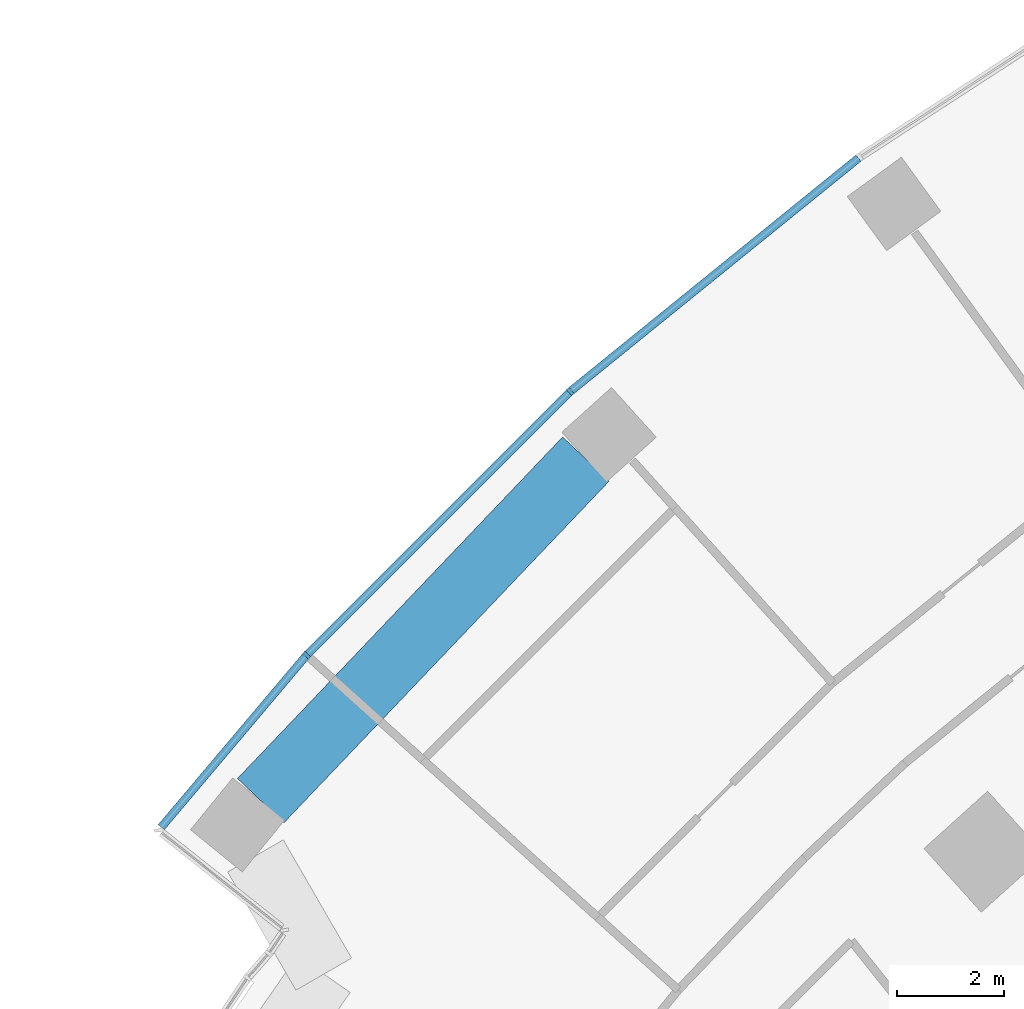
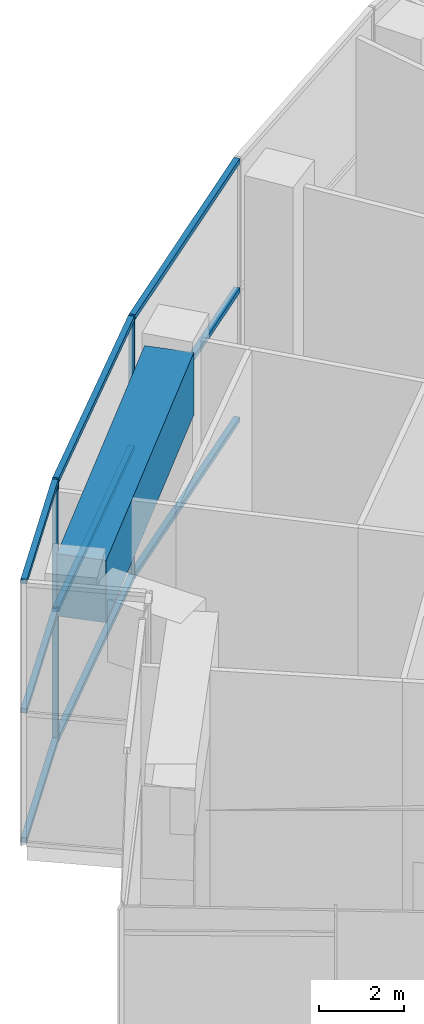
# One storey, part 4 of 33: 11 members, 1 beam, 1 element without a shape of its own.
"""IFC4 building model written with IfcOpenShell, lengths in metres."""

from ifc_helpers import new_model, si_unit, direction, frame, origin, origin_2d, place, context, subcontext, project, spatial, rectangle, extrude, material, layer, layer_set, material_profile, profile_set, type_object, element, aggregate, save


model = new_model("IFC4")

# Units and contexts
model_context = context("Model", 3, precision=1e-05, world=origin(), true_north=direction((0.0, 1.0)))
body_context = subcontext(model_context, "Body", "Model", "MODEL_VIEW")
ifc_project = project(units=[si_unit("LENGTHUNIT", "METRE"), si_unit("AREAUNIT", "SQUARE_METRE"), si_unit("VOLUMEUNIT", "CUBIC_METRE"), si_unit("PLANEANGLEUNIT", "RADIAN"), si_unit("MASSUNIT", "GRAM", prefix="KILO")], contexts=[model_context])

# Site, building, storey
site_placement = place(None, origin())
site = spatial("IfcSite", under=ifc_project, at=site_placement, CompositionType="ELEMENT")
building_placement = place(site_placement, origin())
building = spatial("IfcBuilding", under=site, at=building_placement, Name="Stone Belt Terrace Tower", CompositionType="ELEMENT")
storey_placement = place(building_placement, frame((0.0, 0.0, 79.39990234375)))
storey = spatial("IfcBuildingStorey", under=building, at=storey_placement, Name="L19", CompositionType="ELEMENT", Elevation=79.39990234375)

# Curtain wall, members
ifc_material_1 = material(Name="Aluminium 6063-T6 anodised frame", Category="aluminium")
ifc_layer = layer(ifc_material_1, 0.14990234375)
ifc_layer_set = layer_set([ifc_layer], Name="CW-A unitised convex-face curtain wall")
curtain_wall_type = type_object("IfcCurtainWallType", Name="CW-A unitised convex-face curtain wall", PredefinedType="NOTDEFINED", material=ifc_layer_set)
curtain_wall_placement = place(storey_placement, origin())
curtain_wall = element("IfcCurtainWall", 1, at=curtain_wall_placement, inside=storey, type_object=curtain_wall_type, Name="CW-A convex face L19", PredefinedType="NOTDEFINED")
ifc_material_profile_1 = material_profile(ifc_material_1, rectangle(XDim=0.14990234375, YDim=0.06005859375, at=origin_2d()), Name="Aluminium 6063-T6 60x150")
ifc_profile_set_1 = profile_set([ifc_material_profile_1], Name="Aluminium 6063-T6 anodised frame")
member_type_1 = type_object("IfcMemberType", Name="CW-A mullion 60 x 150", PredefinedType="MULLION", material=ifc_profile_set_1)
member_1_placement = place(storey_placement, frame((-44.54736328125, 49.474853515625, 0.0), z_axis=(0.0, 0.0, 1.0), x_axis=(0.669130606359, -0.743144825477, 0.0)))
member_1 = element("IfcMember", 2, at=member_1_placement, type_object=member_type_1, Name="CW-A mullion 17", PredefinedType="MULLION", context=body_context, shape_type="SweptSolid", body=[
    extrude(rectangle(XDim=0.14990234375, YDim=0.06005859375, at=origin_2d()), origin(), (0.0, 0.0, 1.0), 7.60009765625),
])
member_2_placement = place(storey_placement, frame((-49.474365234375, 44.548095703125, 0.0), z_axis=(0.0, 0.0, 1.0), x_axis=(0.73617076011, -0.676795842155, 0.0)))
member_2 = element("IfcMember", 3, at=member_2_placement, type_object=member_type_1, Name="CW-A mullion 18", PredefinedType="MULLION", context=body_context, shape_type="SweptSolid", body=[
    extrude(rectangle(XDim=0.14990234375, YDim=0.06005859375, at=origin_2d()), origin(), (0.0, 0.0, 1.0), 7.60009765625),
])
ifc_material_profile_2 = material_profile(ifc_material_1, rectangle(XDim=0.14990234375, YDim=0.139892578125, at=origin_2d()), Name="Aluminium 6063-T6 150x140")
ifc_profile_set_2 = profile_set([ifc_material_profile_2], Name="Aluminium 6063-T6 anodised frame")
member_type_2 = type_object("IfcMemberType", Name="CW-A transom 140 x 150", PredefinedType="USERDEFINED", material=ifc_profile_set_2)
member_3_placement = place(storey_placement, frame((-39.158203125, 53.839111328125, 0.070068359375), z_axis=(-0.777141048626, -0.629326457842, 0.0), x_axis=(0.629326457842, -0.777141048626, 0.0)))
member_3 = element("IfcMember", 4, at=member_3_placement, type_object=member_type_2, Name="CW-A transom 16.1", ObjectType="TRANSOM", PredefinedType="USERDEFINED", context=body_context, shape_type="SweptSolid", body=[
    extrude(rectangle(XDim=0.14990234375, YDim=0.139892578125, at=origin_2d()), origin(), (0.0, 0.0, 1.0), 6.900634765625),
])
member_4_placement = place(storey_placement, frame((-39.158203125, 53.839111328125, 3.800048828125), z_axis=(-0.777141048626, -0.629326457842, 0.0), x_axis=(0.629326457842, -0.777141048626, 0.0)))
member_4 = element("IfcMember", 5, at=member_4_placement, type_object=member_type_2, Name="CW-A transom 16.2", ObjectType="TRANSOM", PredefinedType="USERDEFINED", context=body_context, shape_type="SweptSolid", body=[
    extrude(rectangle(XDim=0.14990234375, YDim=0.139892578125, at=origin_2d()), origin(), (0.0, 0.0, 1.0), 6.900634765625),
])
member_5_placement = place(storey_placement, frame((-39.158203125, 53.839111328125, 7.530029296875), z_axis=(-0.777141048626, -0.629326457842, 0.0), x_axis=(0.629326457842, -0.777141048626, 0.0)))
member_5 = element("IfcMember", 6, at=member_5_placement, type_object=member_type_2, Name="CW-A transom 16.3", ObjectType="TRANSOM", PredefinedType="USERDEFINED", context=body_context, shape_type="SweptSolid", body=[
    extrude(rectangle(XDim=0.14990234375, YDim=0.139892578125, at=origin_2d()), origin(), (0.0, 0.0, 1.0), 6.900634765625),
])
member_6_placement = place(storey_placement, frame((-44.5712890625, 49.450927734375, 0.070068359375), z_axis=(-0.707106781187, -0.707106781187, 0.0), x_axis=(0.707106781187, -0.707106781187, 0.0)))
member_6 = element("IfcMember", 7, at=member_6_placement, type_object=member_type_2, Name="CW-A transom 17.1", ObjectType="TRANSOM", PredefinedType="USERDEFINED", context=body_context, shape_type="SweptSolid", body=[
    extrude(rectangle(XDim=0.14990234375, YDim=0.139892578125, at=origin_2d()), origin(), (0.0, 0.0, 1.0), 6.90087890625),
])
member_7_placement = place(storey_placement, frame((-44.5712890625, 49.450927734375, 3.800048828125), z_axis=(-0.707106781187, -0.707106781187, 0.0), x_axis=(0.707106781187, -0.707106781187, 0.0)))
member_7 = element("IfcMember", 8, at=member_7_placement, type_object=member_type_2, Name="CW-A transom 17.2", ObjectType="TRANSOM", PredefinedType="USERDEFINED", context=body_context, shape_type="SweptSolid", body=[
    extrude(rectangle(XDim=0.14990234375, YDim=0.139892578125, at=origin_2d()), origin(), (0.0, 0.0, 1.0), 6.90087890625),
])
member_8_placement = place(storey_placement, frame((-44.5712890625, 49.450927734375, 7.530029296875), z_axis=(-0.707106781187, -0.707106781187, 0.0), x_axis=(0.707106781187, -0.707106781187, 0.0)))
member_8 = element("IfcMember", 9, at=member_8_placement, type_object=member_type_2, Name="CW-A transom 17.3", ObjectType="TRANSOM", PredefinedType="USERDEFINED", context=body_context, shape_type="SweptSolid", body=[
    extrude(rectangle(XDim=0.14990234375, YDim=0.139892578125, at=origin_2d()), origin(), (0.0, 0.0, 1.0), 6.90087890625),
])
member_9_placement = place(storey_placement, frame((-49.495849609375, 44.522705078125, 0.070068359375), z_axis=(-0.645289935316, -0.763937758839, 0.0), x_axis=(0.763937758839, -0.645289935316, 0.0)))
member_9 = element("IfcMember", 10, at=member_9_placement, type_object=member_type_2, Name="CW-A transom 18.1", ObjectType="TRANSOM", PredefinedType="USERDEFINED", context=body_context, shape_type="SweptSolid", body=[
    extrude(rectangle(XDim=0.14990234375, YDim=0.139892578125, at=origin_2d()), origin(), (0.0, 0.0, 1.0), 4.17919921875),
])
member_10_placement = place(storey_placement, frame((-49.495849609375, 44.522705078125, 3.800048828125), z_axis=(-0.645289935316, -0.763937758839, 0.0), x_axis=(0.763937758839, -0.645289935316, 0.0)))
member_10 = element("IfcMember", 11, at=member_10_placement, type_object=member_type_2, Name="CW-A transom 18.2", ObjectType="TRANSOM", PredefinedType="USERDEFINED", context=body_context, shape_type="SweptSolid", body=[
    extrude(rectangle(XDim=0.14990234375, YDim=0.139892578125, at=origin_2d()), origin(), (0.0, 0.0, 1.0), 4.17919921875),
])
member_11_placement = place(storey_placement, frame((-49.495849609375, 44.522705078125, 7.530029296875), z_axis=(-0.645289935316, -0.763937758839, 0.0), x_axis=(0.763937758839, -0.645289935316, 0.0)))
member_11 = element("IfcMember", 12, at=member_11_placement, type_object=member_type_2, Name="CW-A transom 18.3", ObjectType="TRANSOM", PredefinedType="USERDEFINED", context=body_context, shape_type="SweptSolid", body=[
    extrude(rectangle(XDim=0.14990234375, YDim=0.139892578125, at=origin_2d()), origin(), (0.0, 0.0, 1.0), 4.17919921875),
])
aggregate(curtain_wall, [member_1, member_2, member_3, member_4, member_5, member_6, member_7, member_8, member_9, member_10, member_11])

# Beam
ifc_material_2 = material(Name="Concrete B80", Category="concrete")
ifc_material_profile_3 = material_profile(ifc_material_2, rectangle(XDim=1.199951171875, YDim=1.800048828125, at=origin_2d()), Name="RC 1200x1800")
ifc_profile_set_3 = profile_set([ifc_material_profile_3], Name="Concrete B80")
beam_type = type_object("IfcBeamType", Name="Transfer girder RC 1200x1800 B80", PredefinedType="BEAM", material=ifc_profile_set_3)
beam_placement = place(storey_placement, frame((-50.33251953125, 41.8271484375, 6.380126953125), z_axis=(0.689505130806, 0.724280798167, 0.0), x_axis=(-0.724280798167, 0.689505130806, 0.0)))
element("IfcBeam", 13, at=beam_placement, inside=storey, type_object=beam_type, Name="Transfer beam L19 RRNA-R15", PredefinedType="BEAM", context=body_context, shape_type="SweptSolid", body=[
    extrude(rectangle(XDim=1.199951171875, YDim=1.800048828125, at=origin_2d()), origin(), (0.0, 0.0, 1.0), 8.817626953125),
])

save(model, "model.ifc")
